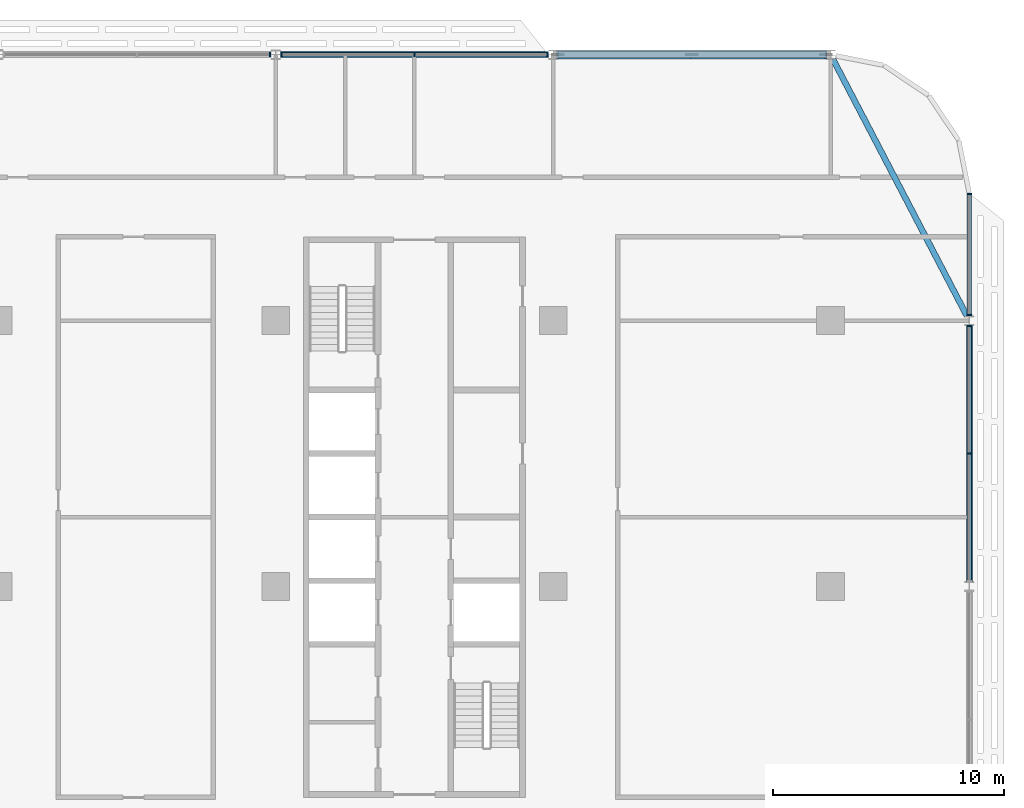
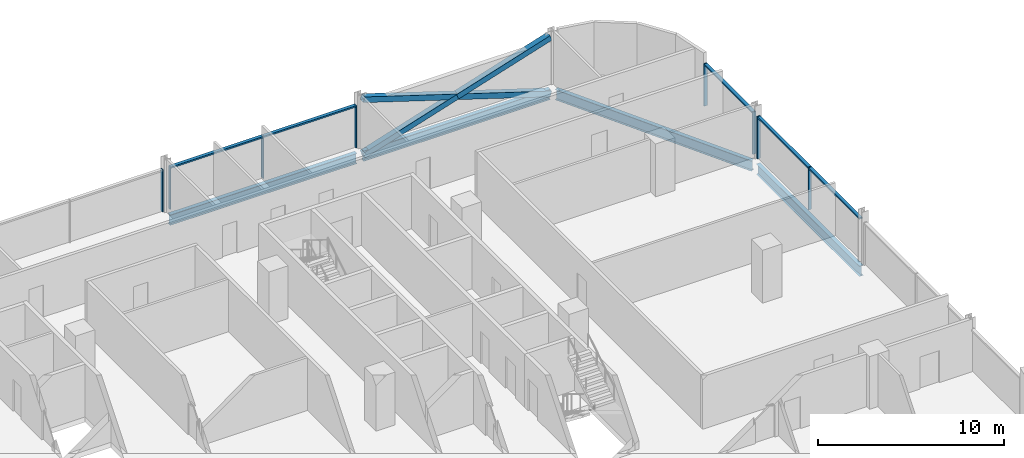
# One storey, part 9 of 27: 16 members, 4 beams, 4 elements without a shape of their own.
"""IFC4 building model written with IfcOpenShell, lengths in metres."""

from ifc_helpers import new_model, si_unit, direction, frame, origin, origin_2d, place, context, subcontext, project, spatial, rectangle, hollow_rectangle, i_section, extrude, material, material_profile, profile_set, type_object, element, aggregate, save


model = new_model("IFC4")

# Units and contexts
model_context = context("Model", 3, precision=1e-05, world=origin(), true_north=direction((0.0, 1.0)))
body_context = subcontext(model_context, "Body", "Model", "MODEL_VIEW")
ifc_project = project(units=[si_unit("LENGTHUNIT", "METRE"), si_unit("AREAUNIT", "SQUARE_METRE"), si_unit("VOLUMEUNIT", "CUBIC_METRE"), si_unit("PLANEANGLEUNIT", "RADIAN"), si_unit("MASSUNIT", "GRAM", prefix="KILO")], contexts=[model_context])

# Site, building, storey
site_placement = place(None, origin())
site = spatial("IfcSite", under=ifc_project, at=site_placement, CompositionType="ELEMENT")
building_placement = place(site_placement, origin())
building = spatial("IfcBuilding", under=site, at=building_placement, Name="Mahtab Terrace Research Tower", CompositionType="ELEMENT")
storey_placement = place(building_placement, frame((0.0, 0.0, 163.0)))
storey = spatial("IfcBuildingStorey", under=building, at=storey_placement, Name="L38", CompositionType="ELEMENT", Elevation=163.0)

# Members
ifc_material_1 = material(Name="Steel ASTM A500 Gr C", Category="steel")
ifc_material_profile_1 = material_profile(ifc_material_1, hollow_rectangle(XDim=0.355712890625, YDim=0.355712890625, WallThickness=0.015869140625, at=origin_2d()), Name="HSS14X14X5/8")
ifc_profile_set_1 = profile_set([ifc_material_profile_1], Name="Steel ASTM A500 Gr C")
member_type_1 = type_object("IfcMemberType", Name="HSS 14x14x5/8 brace XB141458", PredefinedType="BRACE", material=ifc_profile_set_1)
member_1_placement = place(storey_placement, frame((41.796875, 23.0, -0.61474609375), z_axis=(-0.953341454971, 0.0, 0.301894137463), x_axis=(0.0, -1.0, 0.0)))
element("IfcMember", 1, at=member_1_placement, inside=storey, type_object=member_type_1, Name="Exoskeleton brace L38 01 a", PredefinedType="BRACE", context=body_context, shape_type="SweptSolid", body=[
    extrude(hollow_rectangle(XDim=0.355712890625, YDim=0.355712890625, WallThickness=0.015869140625, at=origin_2d()), origin(), (0.0, 0.0, 1.0), 12.1611328125),
])
for number, where, z_axis, x_axis, name in (
    (2, (30.203125, 23.0, -0.61474609375), (0.953341454971, 0.0, 0.301894137463), (0.0, 1.0, 0.0), "Exoskeleton brace L38 01 b1"),
    (3, (36.0, 23.0, 1.220947265625), (0.953341454971, 0.0, 0.301894137463), (0.0, 1.0, 0.0), "Exoskeleton brace L38 01 b2"),
):
    element("IfcMember", number, at=place(storey_placement, frame(where, z_axis=z_axis, x_axis=x_axis)), inside=storey, type_object=member_type_1, Name=name, PredefinedType="BRACE", context=body_context, shape_type="SweptSolid", body=[
        extrude(hollow_rectangle(XDim=0.355712890625, YDim=0.355712890625, WallThickness=0.015869140625, at=origin_2d()), origin(), (0.0, 0.0, 1.0), 6.08056640625),
    ])

# Curtain wall, members
ifc_material_2 = material(Name="Laboratory ribbon curtain wall")
curtain_wall_type = type_object("IfcCurtainWallType", Name="Laboratory ribbon curtain wall", PredefinedType="NOTDEFINED", material=ifc_material_2)
curtain_wall_1_placement = place(storey_placement, origin())
curtain_wall_1 = element("IfcCurtainWall", 4, at=curtain_wall_1_placement, inside=storey, type_object=curtain_wall_type, Name="EN.L38.3.4", PredefinedType="NOTDEFINED")
ifc_material_3 = material(Name="Natural anodised aluminium", Category="aluminium")
ifc_material_profile_2 = material_profile(ifc_material_3, rectangle(XDim=0.199951171875, YDim=0.06494140625, at=origin_2d()), Name="MULLION 65x200")
ifc_profile_set_2 = profile_set([ifc_material_profile_2], Name="Natural anodised aluminium")
member_type_2 = type_object("IfcMemberType", Name="Laboratory ribbon curtain wall mullion", PredefinedType="MULLION", material=ifc_profile_set_2)
member_2_placement = place(storey_placement, frame((29.759521484375, 23.0, 0.0), z_axis=(0.0, 0.0, 1.0), x_axis=(0.0, -1.0, 0.0)))
member_2 = element("IfcMember", 5, at=member_2_placement, type_object=member_type_2, Name="CWL-5 mullion 1", PredefinedType="MULLION", context=body_context, shape_type="SweptSolid", body=[
    extrude(rectangle(XDim=0.199951171875, YDim=0.06494140625, at=origin_2d()), origin(), (0.0, 0.0, 1.0), 2.78173828125),
])
member_3_placement = place(storey_placement, frame((24.0, 23.0, 0.0), z_axis=(0.0, 0.0, 1.0), x_axis=(0.0, -1.0, 0.0)))
member_3 = element("IfcMember", 6, at=member_3_placement, type_object=member_type_2, Name="CWL-5 mullion 2", PredefinedType="MULLION", context=body_context, shape_type="SweptSolid", body=[
    extrude(rectangle(XDim=0.199951171875, YDim=0.06494140625, at=origin_2d()), origin(), (0.0, 0.0, 1.0), 2.78173828125),
])
member_4_placement = place(storey_placement, frame((18.240478515625, 23.0, 0.0), z_axis=(0.0, 0.0, 1.0), x_axis=(0.0, -1.0, 0.0)))
member_4 = element("IfcMember", 7, at=member_4_placement, type_object=member_type_2, Name="CWL-5 mullion 3", PredefinedType="MULLION", context=body_context, shape_type="SweptSolid", body=[
    extrude(rectangle(XDim=0.199951171875, YDim=0.06494140625, at=origin_2d()), origin(), (0.0, 0.0, 1.0), 2.78173828125),
])

# Curtain wall, member
curtain_wall_2_placement = place(storey_placement, origin())
curtain_wall_2 = element("IfcCurtainWall", 8, at=curtain_wall_2_placement, inside=storey, type_object=curtain_wall_type, Name="EN.L38.3.5", PredefinedType="NOTDEFINED")
member_5_placement = place(storey_placement, frame((17.759521484375, 23.0, 0.0), z_axis=(0.0, 0.0, 1.0), x_axis=(0.0, -1.0, 0.0)))
member_5 = element("IfcMember", 9, at=member_5_placement, type_object=member_type_2, Name="CWL-5 mullion 1", PredefinedType="MULLION", context=body_context, shape_type="SweptSolid", body=[
    extrude(rectangle(XDim=0.199951171875, YDim=0.06494140625, at=origin_2d()), origin(), (0.0, 0.0, 1.0), 2.78173828125),
])
aggregate(curtain_wall_2, [member_5])

# Curtain wall, members
curtain_wall_3_placement = place(storey_placement, origin())
curtain_wall_3 = element("IfcCurtainWall", 10, at=curtain_wall_3_placement, inside=storey, type_object=curtain_wall_type, Name="EN.L38.18.36", PredefinedType="NOTDEFINED")
member_6_placement = place(storey_placement, frame((48.0, 5.75, 0.0), z_axis=(0.0, 0.0, 1.0), x_axis=(-1.0, 0.0, 0.0)))
member_6 = element("IfcMember", 11, at=member_6_placement, type_object=member_type_2, Name="CWL-5 mullion 2", PredefinedType="MULLION", context=body_context, shape_type="SweptSolid", body=[
    extrude(rectangle(XDim=0.199951171875, YDim=0.06494140625, at=origin_2d()), origin(), (0.0, 0.0, 1.0), 2.78173828125),
])
member_7_placement = place(storey_placement, frame((48.0, 11.259521484375, 0.0), z_axis=(0.0, 0.0, 1.0), x_axis=(-1.0, 0.0, 0.0)))
member_7 = element("IfcMember", 12, at=member_7_placement, type_object=member_type_2, Name="CWL-5 mullion 3", PredefinedType="MULLION", context=body_context, shape_type="SweptSolid", body=[
    extrude(rectangle(XDim=0.199951171875, YDim=0.06494140625, at=origin_2d()), origin(), (0.0, 0.0, 1.0), 2.78173828125),
])

curtain_wall_4_placement = place(storey_placement, origin())
curtain_wall_4 = element("IfcCurtainWall", 13, at=curtain_wall_4_placement, inside=storey, type_object=curtain_wall_type, Name="EN.L38.18.37", PredefinedType="NOTDEFINED")
member_8_placement = place(storey_placement, frame((48.0, 11.740478515625, 0.0), z_axis=(0.0, 0.0, 1.0), x_axis=(-1.0, 0.0, 0.0)))
member_8 = element("IfcMember", 14, at=member_8_placement, type_object=member_type_2, Name="CWL-5 mullion 1", PredefinedType="MULLION", context=body_context, shape_type="SweptSolid", body=[
    extrude(rectangle(XDim=0.199951171875, YDim=0.06494140625, at=origin_2d()), origin(), (0.0, 0.0, 1.0), 2.78173828125),
])
member_9_placement = place(storey_placement, frame((48.0, 16.967529296875, 0.0), z_axis=(0.0, 0.0, 1.0), x_axis=(-1.0, 0.0, 0.0)))
member_9 = element("IfcMember", 15, at=member_9_placement, type_object=member_type_2, Name="CWL-5 mullion 2", PredefinedType="MULLION", context=body_context, shape_type="SweptSolid", body=[
    extrude(rectangle(XDim=0.199951171875, YDim=0.06494140625, at=origin_2d()), origin(), (0.0, 0.0, 1.0), 2.78173828125),
])

# Member
ifc_material_profile_3 = material_profile(ifc_material_3, rectangle(XDim=0.199951171875, YDim=0.10009765625, at=origin_2d()), Name="TRANSOM 100x200")
ifc_profile_set_3 = profile_set([ifc_material_profile_3], Name="Natural anodised aluminium")
member_type_3 = type_object("IfcMemberType", Name="Laboratory ribbon curtain wall transom", PredefinedType="USERDEFINED", material=ifc_profile_set_3)
member_10_placement = place(storey_placement, frame((29.72705078125, 23.0, 2.731689453125), z_axis=(-1.0, 0.0, 0.0), x_axis=(0.0, -1.0, 0.0)))
member_10 = element("IfcMember", 16, at=member_10_placement, type_object=member_type_3, Name="CWL-5 transom 1", ObjectType="TRANSOM", PredefinedType="USERDEFINED", context=body_context, shape_type="SweptSolid", body=[
    extrude(rectangle(XDim=0.199951171875, YDim=0.10009765625, at=origin_2d()), origin(), (0.0, 0.0, 1.0), 5.694580078125),
])

member_11_placement = place(storey_placement, frame((23.967529296875, 23.0, 2.731689453125), z_axis=(-1.0, 0.0, 0.0), x_axis=(0.0, -1.0, 0.0)))
member_11 = element("IfcMember", 17, at=member_11_placement, type_object=member_type_3, Name="CWL-5 transom 2", ObjectType="TRANSOM", PredefinedType="USERDEFINED", context=body_context, shape_type="SweptSolid", body=[
    extrude(rectangle(XDim=0.199951171875, YDim=0.10009765625, at=origin_2d()), origin(), (0.0, 0.0, 1.0), 5.694580078125),
])

aggregate(curtain_wall_1, [member_2, member_3, member_4, member_10, member_11])

member_12_placement = place(storey_placement, frame((48.0, 0.27294921875, 2.731689453125), z_axis=(0.0, 1.0, 0.0), x_axis=(-1.0, 0.0, 0.0)))
member_12 = element("IfcMember", 18, at=member_12_placement, type_object=member_type_3, Name="CWL-5 transom 1", ObjectType="TRANSOM", PredefinedType="USERDEFINED", context=body_context, shape_type="SweptSolid", body=[
    extrude(rectangle(XDim=0.199951171875, YDim=0.10009765625, at=origin_2d()), origin(), (0.0, 0.0, 1.0), 5.444580078125),
])

member_13_placement = place(storey_placement, frame((48.0, 5.782470703125, 2.731689453125), z_axis=(0.0, 1.0, 0.0), x_axis=(-1.0, 0.0, 0.0)))
member_13 = element("IfcMember", 19, at=member_13_placement, type_object=member_type_3, Name="CWL-5 transom 2", ObjectType="TRANSOM", PredefinedType="USERDEFINED", context=body_context, shape_type="SweptSolid", body=[
    extrude(rectangle(XDim=0.199951171875, YDim=0.10009765625, at=origin_2d()), origin(), (0.0, 0.0, 1.0), 5.444580078125),
])

aggregate(curtain_wall_3, [member_6, member_7, member_12, member_13])

member_14_placement = place(storey_placement, frame((48.0, 11.77294921875, 2.731689453125), z_axis=(0.0, 1.0, 0.0), x_axis=(-1.0, 0.0, 0.0)))
member_14 = element("IfcMember", 20, at=member_14_placement, type_object=member_type_3, Name="CWL-5 transom 1", ObjectType="TRANSOM", PredefinedType="USERDEFINED", context=body_context, shape_type="SweptSolid", body=[
    extrude(rectangle(XDim=0.199951171875, YDim=0.10009765625, at=origin_2d()), origin(), (0.0, 0.0, 1.0), 5.162109375),
])

aggregate(curtain_wall_4, [member_8, member_9, member_14])

# Beams
ifc_material_4 = material(Name="Steel ASTM A992 Gr 50", Category="steel")
ifc_material_profile_4 = material_profile(ifc_material_4, i_section(OverallWidth=0.25390625, OverallDepth=0.67822265625, WebThickness=0.01171875, FlangeThickness=0.016357421875, at=origin_2d()), Name="W27X84")
ifc_profile_set_4 = profile_set([ifc_material_profile_4], Name="Steel ASTM A992 Gr 50")
beam_type = type_object("IfcBeamType", Name="W27x84 beam BS2784", PredefinedType="BEAM", material=ifc_profile_set_4)
for number, where, z_axis, x_axis, name in (
    (21, (41.796875, 23.0, -0.67919921875), (-1.0, 0.0, 0.0), (0.0, -1.0, 0.0), "Spandrel beam L38 01"),
    (22, (29.796875, 23.0, -0.67919921875), (-1.0, 0.0, 0.0), (0.0, -1.0, 0.0), "Spandrel beam L38 02"),
):
    element("IfcBeam", number, at=place(storey_placement, frame(where, z_axis=z_axis, x_axis=x_axis)), inside=storey, type_object=beam_type, Name=name, PredefinedType="BEAM", context=body_context, shape_type="SweptSolid", body=[
        extrude(i_section(OverallWidth=0.25390625, OverallDepth=0.67822265625, WebThickness=0.01171875, FlangeThickness=0.016357421875, at=origin_2d()), origin(), (0.0, 0.0, 1.0), 11.59375),
    ])
beam_1_placement = place(storey_placement, frame((48.0, 0.208251953125, -0.67919921875), z_axis=(0.0, 1.0, 0.0), x_axis=(-1.0, 0.0, 0.0)))
element("IfcBeam", 23, at=beam_1_placement, inside=storey, type_object=beam_type, Name="Spandrel beam L38 21", PredefinedType="BEAM", context=body_context, shape_type="SweptSolid", body=[
    extrude(i_section(OverallWidth=0.25390625, OverallDepth=0.67822265625, WebThickness=0.01171875, FlangeThickness=0.016357421875, at=origin_2d()), origin(), (0.0, 0.0, 1.0), 11.08349609375),
])
beam_2_placement = place(storey_placement, frame((47.891357421875, 11.708251953125, -0.67919921875), z_axis=(-0.462567341525, 0.886584149731, 0.0), x_axis=(-0.886584149731, -0.462567341525, 0.0)))
element("IfcBeam", 24, at=beam_2_placement, inside=storey, type_object=beam_type, Name="Spandrel beam L38 22", PredefinedType="BEAM", context=body_context, shape_type="SweptSolid", body=[
    extrude(i_section(OverallWidth=0.25390625, OverallDepth=0.67822265625, WebThickness=0.01171875, FlangeThickness=0.016357421875, at=origin_2d()), origin(), (0.0, 0.0, 1.0), 12.50146484375),
])

save(model, "model.ifc")
